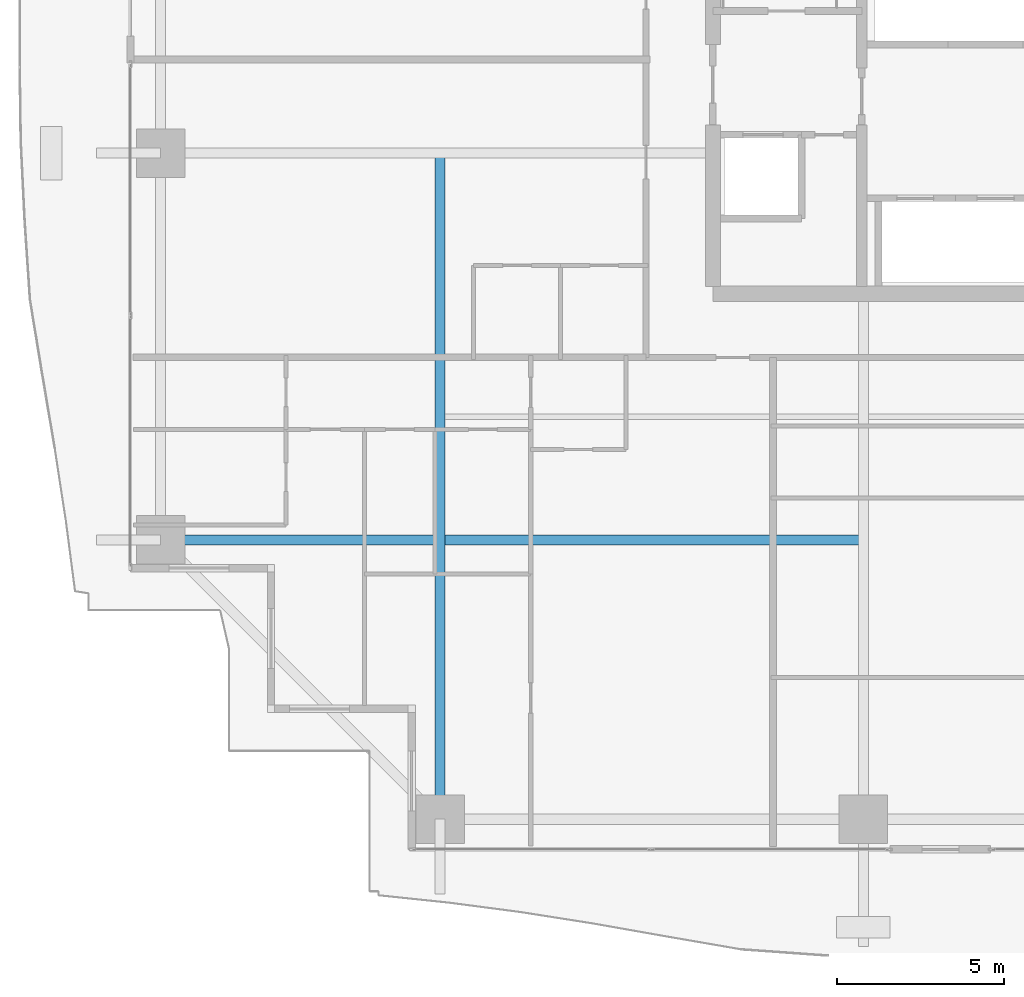
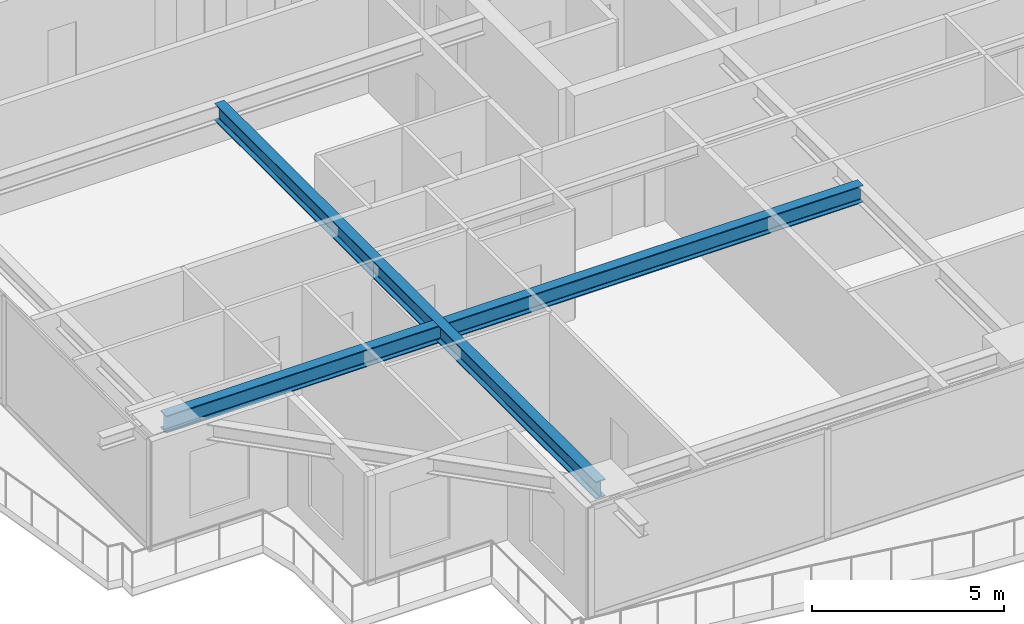
# One storey, part 4 of 41: 2 beams.
"""IFC4 building model written with IfcOpenShell, lengths in metres."""

from ifc_helpers import new_model, si_unit, direction, frame, origin, origin_2d, place, context, subcontext, project, spatial, i_section, extrude, source, transform, mapped, material, material_profile, profile_set, type_object, element, save


model = new_model("IFC4")

# Units and contexts
model_context = context("Model", 3, precision=1e-05, world=origin(), true_north=direction((0.0, 1.0)))
body_context = subcontext(model_context, "Body", "Model", "MODEL_VIEW")
ifc_project = project(units=[si_unit("LENGTHUNIT", "METRE"), si_unit("AREAUNIT", "SQUARE_METRE"), si_unit("VOLUMEUNIT", "CUBIC_METRE"), si_unit("PLANEANGLEUNIT", "RADIAN"), si_unit("MASSUNIT", "GRAM", prefix="KILO")], contexts=[model_context])

# Site, building, storey
site_placement = place(None, origin())
site = spatial("IfcSite", under=ifc_project, at=site_placement, CompositionType="ELEMENT")
building_placement = place(site_placement, origin())
building = spatial("IfcBuilding", under=site, at=building_placement, Name="Serunith Strait Residences", CompositionType="ELEMENT")
storey_placement = place(building_placement, frame((0.0, 0.0, 45.449951171875)))
storey = spatial("IfcBuildingStorey", under=building, at=storey_placement, Name="L10", CompositionType="ELEMENT", Elevation=45.449951171875)

# Beams
ifc_material = material(Name="Steel S355J2", Category="steel")
ifc_material_profile = material_profile(ifc_material, i_section(OverallWidth=0.300048828125, OverallDepth=0.550048828125, WebThickness=0.014892578125, FlangeThickness=0.029052734375, FilletRadius=0.027099609375, at=origin_2d()), Name="HEB 550")
ifc_profile_set = profile_set([ifc_material_profile], Name="Steel S355J2")
beam_type = type_object("IfcBeamType", Name="BM-HEB550", PredefinedType="BEAM", material=ifc_profile_set)
shared_shape_1 = source(origin(), body_context, "Body", "SweptSolid", [
    extrude(i_section(OverallWidth=0.300048828125, OverallDepth=0.550048828125, WebThickness=0.014892578125, FlangeThickness=0.029052734375, FilletRadius=0.027099609375, at=origin_2d()), origin(), (0.0, 0.0, 1.0), 19.89990234375),
])
beam_1_placement = place(storey_placement, frame((15.25, 21.0, 3.212158203125), z_axis=(0.0, -1.0, 0.0), x_axis=(1.0, 0.0, 0.0)))
element("IfcBeam", 1, at=beam_1_placement, inside=storey, type_object=beam_type, Name="L10 Orthogonal Corner Girder TC-S1", PredefinedType="BEAM", context=body_context, shape_type="MappedRepresentation", body=[
    mapped(shared_shape_1, transform((0.0, 0.0, 0.0), scale=1.0)),
])
shared_shape_2 = source(origin(), body_context, "Body", "SweptSolid", [
    extrude(i_section(OverallWidth=0.300048828125, OverallDepth=0.550048828125, WebThickness=0.014892578125, FlangeThickness=0.029052734375, FilletRadius=0.027099609375, at=origin_2d()), origin(), (0.0, 0.0, 1.0), 21.0),
])
beam_2_placement = place(storey_placement, frame((27.89990234375, 9.449951171875, 3.212158203125), z_axis=(-1.0, 0.0, 0.0), x_axis=(0.0, -1.0, 0.0)))
element("IfcBeam", 2, at=beam_2_placement, inside=storey, type_object=beam_type, Name="L10 Orthogonal Corner Girder TC-W1", PredefinedType="BEAM", context=body_context, shape_type="MappedRepresentation", body=[
    mapped(shared_shape_2, transform((0.0, 0.0, 0.0), scale=1.0)),
])

save(model, "model.ifc")
